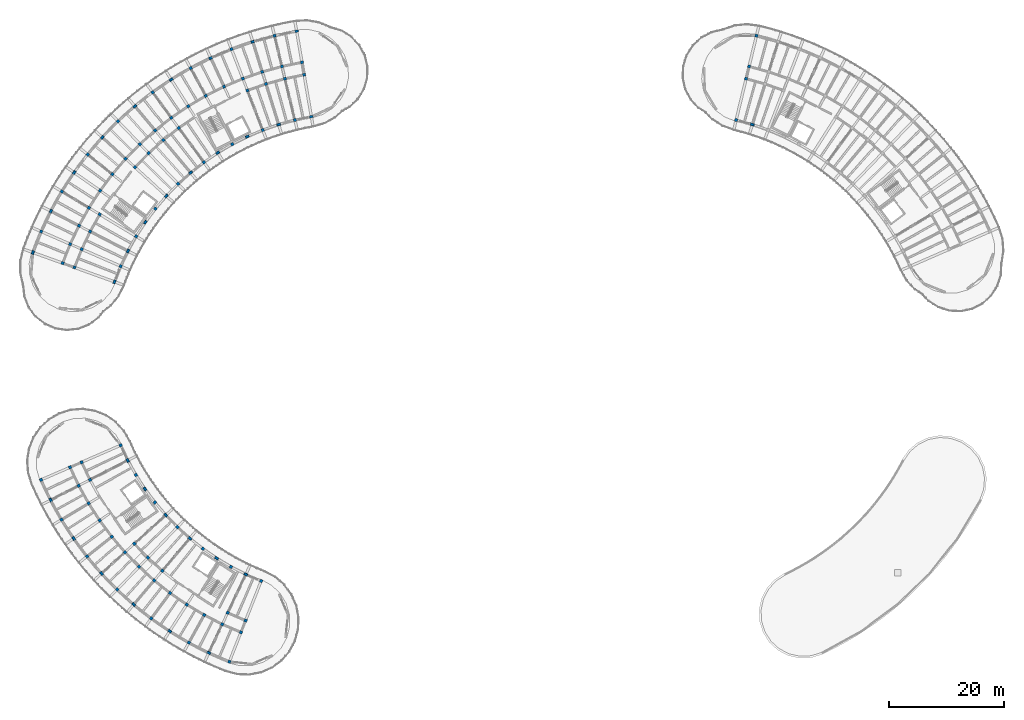
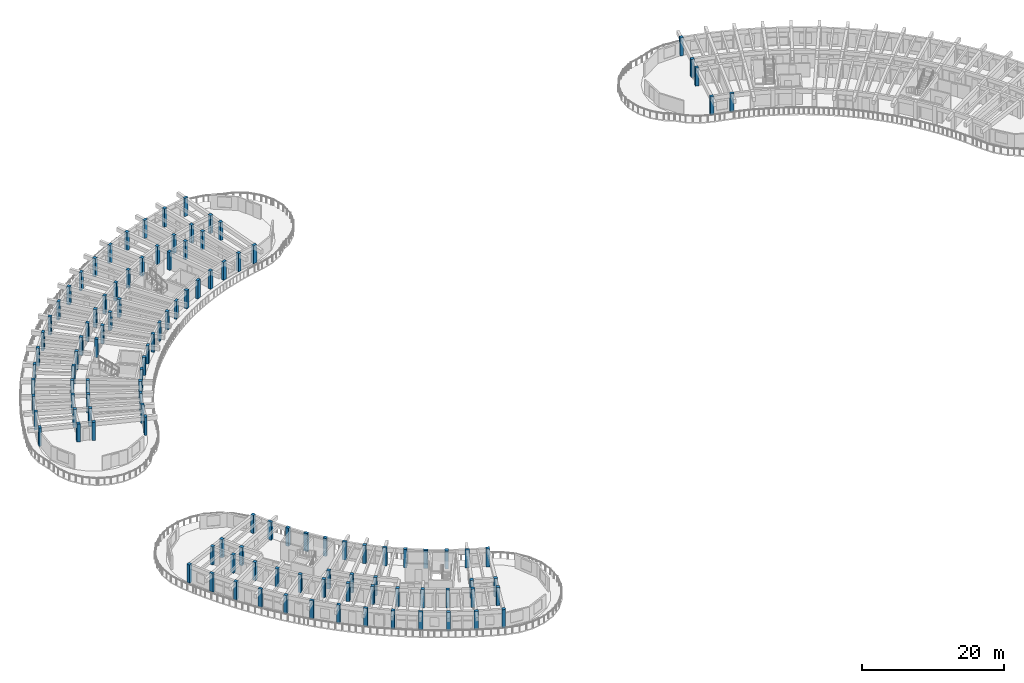
# One storey, part 1 of 62: 114 columns.
"""IFC4 building model written with IfcOpenShell, lengths in metres."""

from ifc_helpers import new_model, si_unit, direction, frame, origin, origin_2d, place, context, subcontext, project, spatial, rectangle, extrude, material, material_profile, profile_set, type_object, element, save


model = new_model("IFC4")

# Units and contexts
model_context = context("Model", 3, precision=1e-05, world=origin(), true_north=direction((0.0, 1.0)))
body_context = subcontext(model_context, "Body", "Model", "MODEL_VIEW")
ifc_project = project(units=[si_unit("LENGTHUNIT", "METRE"), si_unit("AREAUNIT", "SQUARE_METRE"), si_unit("VOLUMEUNIT", "CUBIC_METRE"), si_unit("PLANEANGLEUNIT", "RADIAN"), si_unit("MASSUNIT", "GRAM", prefix="KILO")], contexts=[model_context])

# Site, building, storey
site_placement = place(None, origin())
site = spatial("IfcSite", under=ifc_project, at=site_placement, CompositionType="ELEMENT")
building_placement = place(site_placement, origin())
building = spatial("IfcBuilding", under=site, at=building_placement, Name="Tanwirah Colonnade Gardens", CompositionType="ELEMENT")
storey_placement = place(building_placement, frame((0.0, 0.0, 32.360107421875)))
storey = spatial("IfcBuildingStorey", under=building, at=storey_placement, Name="L09", CompositionType="ELEMENT", Elevation=32.360107421875)

# Columns
ifc_material = material(Name="Precast concrete C40/50", Category="concrete")
ifc_material_profile_1 = material_profile(ifc_material, rectangle(XDim=0.510009765625, YDim=0.510009765625, at=origin_2d()), Name="PC-COL 510x510")
ifc_profile_set_1 = profile_set([ifc_material_profile_1], Name="Precast concrete C40/50")
column_type_1 = type_object("IfcColumnType", Name="C-PC420", PredefinedType="COLUMN", material=ifc_profile_set_1)
for number, where, z_axis, x_axis, name in (
    (1, (24.236572265625, 46.775634765625, 0.0), (0.0, 0.0, 1.0), (-0.917060074385, -0.398749068925, 0.0), "Block C L09 Column 2-R0"),
    (2, (17.450439453125, 43.824951171875, 0.0), (0.0, 0.0, 1.0), (-0.917060074385, -0.398749068925, 0.0), "Block C L09 Column 2-R1"),
    (3, (15.432861328125, 42.947509765625, 0.0), (0.0, 0.0, 1.0), (-0.917060074385, -0.398749068925, 0.0), "Block C L09 Column 2-R2"),
    (4, (10.38916015625, 40.75439453125, 0.0), (0.0, 0.0, 1.0), (-0.917060074385, -0.398749068925, 0.0), "Block C L09 Column 2-R3"),
    (5, (18.904541015625, 40.75927734375, 0.0), (0.0, 0.0, 1.0), (-0.889017141486, -0.457873915117, 0.0), "Block C L09 Column 3-R1"),
    (6, (16.94873046875, 39.751953125, 0.0), (0.0, 0.0, 1.0), (-0.889017141486, -0.457873915117, 0.0), "Block C L09 Column 3-R2"),
    (7, (26.89892578125, 41.6064453125, 0.0), (0.0, 0.0, 1.0), (-0.857167300702, -0.51503807491, 0.0), "Block C L09 Column 4-R0"),
    (8, (18.670166015625, 36.662109375, 0.0), (0.0, 0.0, 1.0), (-0.857167300702, -0.51503807491, 0.0), "Block C L09 Column 4-R2"),
    (9, (13.95556640625, 33.82958984375, 0.0), (0.0, 0.0, 1.0), (-0.857167300702, -0.51503807491, 0.0), "Block C L09 Column 4-R3"),
    (10, (20.590087890625, 33.691650390625, 0.0), (0.0, 0.0, 1.0), (-0.821646937942, -0.569996762596, 0.0), "Block C L09 Column 5-R2"),
    (11, (30.213134765625, 36.829345703125, 0.0), (0.0, 0.0, 1.0), (-0.782608156852, -0.622514636638, 0.0), "Block C L09 Column 6-R0"),
    (12, (22.699951171875, 30.85302734375, 0.0), (0.0, 0.0, 1.0), (-0.782608156852, -0.622514636638, 0.0), "Block C L09 Column 6-R2"),
    (13, (18.395751953125, 27.42919921875, 0.0), (0.0, 0.0, 1.0), (-0.782608156852, -0.622514636638, 0.0), "Block C L09 Column 6-R3"),
    (14, (26.61962890625, 29.6376953125, 0.0), (0.0, 0.0, 1.0), (-0.740218127487, -0.672366807435, 0.0), "Block C L09 Column 7-R1"),
    (15, (24.9912109375, 28.15869140625, 0.0), (0.0, 0.0, 1.0), (-0.740218127487, -0.672366807435, 0.0), "Block C L09 Column 7-R2"),
    (16, (34.122314453125, 32.525390625, 0.0), (0.0, 0.0, 1.0), (-0.694658370459, -0.719339800339, 0.0), "Block C L09 Column 8-R0"),
    (17, (28.98193359375, 27.2021484375, 0.0), (0.0, 0.0, 1.0), (-0.694658370459, -0.719339800339, 0.0), "Block C L09 Column 8-R1"),
    (18, (27.45361328125, 25.61962890625, 0.0), (0.0, 0.0, 1.0), (-0.694658370459, -0.719339800339, 0.0), "Block C L09 Column 8-R2"),
    (19, (23.633056640625, 21.663330078125, 0.0), (0.0, 0.0, 1.0), (-0.694658370459, -0.719339800339, 0.0), "Block C L09 Column 8-R3"),
    (20, (31.49853515625, 24.926513671875, 0.0), (0.0, 0.0, 1.0), (-0.646123979643, -0.763232469783, 0.0), "Block C L09 Column 9-R1"),
    (21, (30.076904296875, 23.247314453125, 0.0), (0.0, 0.0, 1.0), (-0.646123979643, -0.763232469783, 0.0), "Block C L09 Column 9-R2"),
    (22, (38.56005859375, 28.7685546875, 0.0), (0.0, 0.0, 1.0), (-0.594822786751, -0.803856860617, 0.0), "Block C L09 Column 10-R0"),
    (23, (32.849853515625, 21.051513671875, 0.0), (0.0, 0.0, 1.0), (-0.594822786751, -0.803856860617, 0.0), "Block C L09 Column 10-R2"),
    (24, (29.578369140625, 16.63037109375, 0.0), (0.0, 0.0, 1.0), (-0.594822786751, -0.803856860617, 0.0), "Block C L09 Column 10-R3"),
    (25, (35.76025390625, 19.041748046875, 0.0), (0.0, 0.0, 1.0), (-0.540974471368, -0.841039012964, 0.0), "Block C L09 Column 11-R2"),
    (26, (43.4501953125, 25.623046875, 0.0), (0.0, 0.0, 1.0), (-0.484809620246, -0.874619707139, 0.0), "Block C L09 Column 12-R0"),
    (27, (38.796142578125, 17.226806640625, 0.0), (0.0, 0.0, 1.0), (-0.484809620246, -0.874619707139, 0.0), "Block C L09 Column 12-R2"),
    (28, (36.129638671875, 12.41650390625, 0.0), (0.0, 0.0, 1.0), (-0.484809620246, -0.874619707139, 0.0), "Block C L09 Column 12-R3"),
    (29, (42.88232421875, 17.60400390625, 0.0), (0.0, 0.0, 1.0), (-0.426568739901, -0.904455145454, 0.0), "Block C L09 Column 13-R1"),
    (30, (41.94384765625, 15.6142578125, 0.0), (0.0, 0.0, 1.0), (-0.426568739901, -0.904455145454, 0.0), "Block C L09 Column 13-R2"),
    (31, (48.708984375, 23.142822265625, 0.0), (0.0, 0.0, 1.0), (-0.366501226724, -0.930417567982, 0.0), "Block C L09 Column 14-R0"),
    (32, (45.996826171875, 16.2578125, 0.0), (0.0, 0.0, 1.0), (-0.366501226724, -0.930417567982, 0.0), "Block C L09 Column 14-R1"),
    (33, (45.190673828125, 14.2109375, 0.0), (0.0, 0.0, 1.0), (-0.366501226724, -0.930417567982, 0.0), "Block C L09 Column 14-R2"),
    (34, (43.1748046875, 9.09375, 0.0), (0.0, 0.0, 1.0), (-0.366501226724, -0.930417567982, 0.0), "Block C L09 Column 14-R3"),
):
    element("IfcColumn", number, at=place(storey_placement, frame(where, z_axis=z_axis, x_axis=x_axis)), inside=storey, type_object=column_type_1, Name=name, PredefinedType="COLUMN", context=body_context, shape_type="SweptSolid", body=[
        extrude(rectangle(XDim=0.510009765625, YDim=0.510009765625, at=origin_2d()), origin(), (0.0, 0.0, 1.0), 3.114990234375),
    ])
ifc_material_profile_2 = material_profile(ifc_material, rectangle(XDim=0.5, YDim=0.5, at=origin_2d()), Name="PC-COL 500x500")
ifc_profile_set_2 = profile_set([ifc_material_profile_2], Name="Precast concrete C40/50")
column_type_2 = type_object("IfcColumnType", Name="C-PC500", PredefinedType="COLUMN", material=ifc_profile_set_2)
for number, where, z_axis, x_axis, name in (
    (35, (56.1943359375, 111.296875, 0.0), (0.0, 0.0, 1.0), (-0.169827298811, 0.985473839622, 0.0), "Block A L09 Column 1-R1"),
    (36, (55.82080078125, 113.46484375, 0.0), (0.0, 0.0, 1.0), (-0.169827298811, 0.985473839622, 0.0), "Block A L09 Column 1-R2"),
    (37, (54.58154296875, 103.411865234375, 0.0), (0.0, 0.0, 1.0), (-0.23438809799, 0.972143106503, 0.0), "Block A L09 Column 2-R0"),
    (38, (52.846923828125, 110.605712890625, 0.0), (0.0, 0.0, 1.0), (-0.23438809799, 0.972143106503, 0.0), "Block A L09 Column 2-R1"),
    (39, (52.331298828125, 112.744384765625, 0.0), (0.0, 0.0, 1.0), (-0.23438809799, 0.972143106503, 0.0), "Block A L09 Column 2-R2"),
    (40, (51.042236328125, 118.091064453125, 0.0), (0.0, 0.0, 1.0), (-0.23438809799, 0.972143106503, 0.0), "Block A L09 Column 2-R3"),
    (41, (49.55224609375, 109.6953125, 0.0), (0.0, 0.0, 1.0), (-0.297930292146, 0.954587628781, 0.0), "Block A L09 Column 3-R1"),
    (42, (48.89697265625, 111.79541015625, 0.0), (0.0, 0.0, 1.0), (-0.297930292146, 0.954587628781, 0.0), "Block A L09 Column 3-R2"),
    (43, (48.989990234375, 101.666748046875, 0.0), (0.0, 0.0, 1.0), (-0.360177739278, 0.932883699144, 0.0), "Block A L09 Column 4-R0"),
    (44, (46.32470703125, 108.570068359375, 0.0), (0.0, 0.0, 1.0), (-0.360177739278, 0.932883699144, 0.0), "Block A L09 Column 4-R1"),
    (45, (45.532470703125, 110.622314453125, 0.0), (0.0, 0.0, 1.0), (-0.360177739278, 0.932883699144, 0.0), "Block A L09 Column 4-R2"),
    (46, (43.551513671875, 115.753173828125, 0.0), (0.0, 0.0, 1.0), (-0.360177739278, 0.932883699144, 0.0), "Block A L09 Column 4-R3"),
    (47, (42.25244140625, 109.230224609375, 0.0), (0.0, 0.0, 1.0), (-0.420859924104, 0.907125638643, 0.0), "Block A L09 Column 5-R2"),
    (48, (43.6767578125, 99.20166015625, 0.0), (0.0, 0.0, 1.0), (-0.479713133669, 0.877425386791, 0.0), "Block A L09 Column 6-R0"),
    (49, (39.071533203125, 107.624755859375, 0.0), (0.0, 0.0, 1.0), (-0.479713133669, 0.877425386791, 0.0), "Block A L09 Column 6-R2"),
    (50, (36.43310546875, 112.45068359375, 0.0), (0.0, 0.0, 1.0), (-0.479713133669, 0.877425386791, 0.0), "Block A L09 Column 6-R3"),
    (51, (36.003173828125, 105.8134765625, 0.0), (0.0, 0.0, 1.0), (-0.536481603385, 0.843912015099, 0.0), "Block A L09 Column 7-R2"),
    (52, (38.733642578125, 96.05908203125, 0.0), (0.0, 0.0, 1.0), (-0.590918628541, 0.806731166153, 0.0), "Block A L09 Column 8-R0"),
    (53, (34.36083984375, 102.029052734375, 0.0), (0.0, 0.0, 1.0), (-0.590918628541, 0.806731166153, 0.0), "Block A L09 Column 8-R1"),
    (54, (33.060791015625, 103.8037109375, 0.0), (0.0, 0.0, 1.0), (-0.590918628541, 0.806731166153, 0.0), "Block A L09 Column 8-R2"),
    (55, (29.810791015625, 108.24072265625, 0.0), (0.0, 0.0, 1.0), (-0.590918628541, 0.806731166153, 0.0), "Block A L09 Column 8-R3"),
    (56, (31.67138671875, 99.91943359375, 0.0), (0.0, 0.0, 1.0), (-0.642787636427, 0.766044420681, 0.0), "Block A L09 Column 9-R1"),
    (57, (30.25732421875, 101.604736328125, 0.0), (0.0, 0.0, 1.0), (-0.642787636427, 0.766044420681, 0.0), "Block A L09 Column 9-R2"),
    (58, (34.24658203125, 92.294189453125, 0.0), (0.0, 0.0, 1.0), (-0.691863214436, 0.722028595355, 0.0), "Block A L09 Column 10-R0"),
    (59, (29.126953125, 97.63720703125, 0.0), (0.0, 0.0, 1.0), (-0.691863214436, 0.722028595355, 0.0), "Block A L09 Column 10-R1"),
    (60, (27.604736328125, 99.2255859375, 0.0), (0.0, 0.0, 1.0), (-0.691863214436, 0.722028595355, 0.0), "Block A L09 Column 10-R2"),
    (61, (23.799560546875, 103.19677734375, 0.0), (0.0, 0.0, 1.0), (-0.691863214436, 0.722028595355, 0.0), "Block A L09 Column 10-R3"),
    (62, (26.73828125, 95.1923828125, 0.0), (0.0, 0.0, 1.0), (-0.737932089665, 0.674874974378, 0.0), "Block A L09 Column 11-R1"),
    (63, (25.11474609375, 96.677001953125, 0.0), (0.0, 0.0, 1.0), (-0.737932089665, 0.674874974378, 0.0), "Block A L09 Column 11-R2"),
    (64, (30.293701171875, 87.971923828125, 0.0), (0.0, 0.0, 1.0), (-0.780794055756, 0.624788478204, 0.0), "Block A L09 Column 12-R0"),
    (65, (22.798095703125, 93.9697265625, 0.0), (0.0, 0.0, 1.0), (-0.780794055756, 0.624788478204, 0.0), "Block A L09 Column 12-R2"),
    (66, (18.503662109375, 97.40625, 0.0), (0.0, 0.0, 1.0), (-0.780794055756, 0.624788478204, 0.0), "Block A L09 Column 12-R3"),
    (67, (20.664794921875, 91.115966796875, 0.0), (0.0, 0.0, 1.0), (-0.82026284295, 0.57198677299, 0.0), "Block A L09 Column 13-R2"),
    (68, (26.943359375, 83.167236328125, 0.0), (0.0, 0.0, 1.0), (-0.856166927587, 0.516699324663, 0.0), "Block A L09 Column 14-R0"),
    (69, (20.607666015625, 86.990966796875, 0.0), (0.0, 0.0, 1.0), (-0.856166927587, 0.516699324663, 0.0), "Block A L09 Column 14-R1"),
    (70, (18.72412109375, 88.127685546875, 0.0), (0.0, 0.0, 1.0), (-0.856166927587, 0.516699324663, 0.0), "Block A L09 Column 14-R2"),
    (71, (14.015380859375, 90.969482421875, 0.0), (0.0, 0.0, 1.0), (-0.856166927587, 0.516699324663, 0.0), "Block A L09 Column 14-R3"),
    (72, (18.93896484375, 84.0078125, 0.0), (0.0, 0.0, 1.0), (-0.888350277506, 0.459166401705, 0.0), "Block A L09 Column 15-R1"),
    (73, (16.984619140625, 85.017822265625, 0.0), (0.0, 0.0, 1.0), (-0.888350277506, 0.459166401705, 0.0), "Block A L09 Column 15-R2"),
    (74, (24.25390625, 77.9638671875, 0.0), (0.0, 0.0, 1.0), (-0.916673030138, 0.399638030994, 0.0), "Block A L09 Column 16-R0"),
    (75, (17.470458984375, 80.921142578125, 0.0), (0.0, 0.0, 1.0), (-0.916673030138, 0.399638030994, 0.0), "Block A L09 Column 16-R1"),
    (76, (15.453857421875, 81.800537109375, 0.0), (0.0, 0.0, 1.0), (-0.916673030138, 0.399638030994, 0.0), "Block A L09 Column 16-R2"),
    (77, (10.412109375, 83.99853515625, 0.0), (0.0, 0.0, 1.0), (-0.916673030138, 0.399638030994, 0.0), "Block A L09 Column 16-R3"),
    (78, (16.20849609375, 77.74462890625, 0.0), (0.0, 0.0, 1.0), (-0.941012100316, 0.338372911236, 0.0), "Block A L09 Column 17-R1"),
    (79, (14.13818359375, 78.489013671875, 0.0), (0.0, 0.0, 1.0), (-0.941012100316, 0.338372911236, 0.0), "Block A L09 Column 17-R2"),
    (80, (131.41845703125, 103.411865234375, 0.0), (0.0, 0.0, 1.0), (0.234388030122, 0.972143122866, 0.0), "Block B L09 Column 16-R0"),
    (81, (133.153076171875, 110.605712890625, 0.0), (0.0, 0.0, 1.0), (0.234388030122, 0.972143122866, 0.0), "Block B L09 Column 16-R1"),
    (82, (133.668701171875, 112.744384765625, 0.0), (0.0, 0.0, 1.0), (0.234388030122, 0.972143122866, 0.0), "Block B L09 Column 16-R2"),
    (83, (134.957763671875, 118.091064453125, 0.0), (0.0, 0.0, 1.0), (0.234388030122, 0.972143122866, 0.0), "Block B L09 Column 16-R3"),
):
    element("IfcColumn", number, at=place(storey_placement, frame(where, z_axis=z_axis, x_axis=x_axis)), inside=storey, type_object=column_type_2, Name=name, PredefinedType="COLUMN", context=body_context, shape_type="SweptSolid", body=[
        extrude(rectangle(XDim=0.5, YDim=0.5, at=origin_2d()), origin(), (0.0, 0.0, 1.0), 3.114990234375),
    ])
ifc_material_profile_3 = material_profile(ifc_material, rectangle(XDim=0.389892578125, YDim=0.6298828125, at=origin_2d()), Name="PC-PIL 390x630")
ifc_profile_set_3 = profile_set([ifc_material_profile_3], Name="Precast concrete C40/50")
column_type_3 = type_object("IfcColumnType", Name="PIL-360", PredefinedType="PILASTER", material=ifc_profile_set_3)
for number, where, z_axis, x_axis, name in (
    (84, (57.451171875, 104.00439453125, 0.0), (0.0, 0.0, 1.0), (-0.169827298811, 0.985473839622, 0.0), "Block A L09 Column 1-R0"),
    (85, (54.88671875, 118.885009765625, 0.0), (0.0, 0.0, 1.0), (-0.169827298811, 0.985473839622, 0.0), "Block A L09 Column 1-R3"),
    (86, (51.757080078125, 102.63134765625, 0.0), (0.0, 0.0, 1.0), (-0.297930292146, 0.954587628781, 0.0), "Block A L09 Column 3-R0"),
    (87, (47.25830078125, 117.045654296875, 0.0), (0.0, 0.0, 1.0), (-0.297930292146, 0.954587628781, 0.0), "Block A L09 Column 3-R3"),
    (88, (46.292724609375, 100.521728515625, 0.0), (0.0, 0.0, 1.0), (-0.420859924104, 0.907125638643, 0.0), "Block A L09 Column 5-R0"),
    (89, (39.937744140625, 114.21923828125, 0.0), (0.0, 0.0, 1.0), (-0.420859924104, 0.907125638643, 0.0), "Block A L09 Column 5-R3"),
    (90, (41.1533203125, 97.7119140625, 0.0), (0.0, 0.0, 1.0), (-0.536481603385, 0.843912015099, 0.0), "Block A L09 Column 7-R0"),
    (91, (33.052490234375, 110.455078125, 0.0), (0.0, 0.0, 1.0), (-0.536481603385, 0.843912015099, 0.0), "Block A L09 Column 7-R3"),
    (92, (36.427978515625, 94.250732421875, 0.0), (0.0, 0.0, 1.0), (-0.642787636427, 0.766044420681, 0.0), "Block A L09 Column 9-R0"),
    (93, (26.721923828125, 105.81787109375, 0.0), (0.0, 0.0, 1.0), (-0.642787636427, 0.766044420681, 0.0), "Block A L09 Column 9-R3"),
    (94, (32.198974609375, 90.1982421875, 0.0), (0.0, 0.0, 1.0), (-0.737932089665, 0.674874974378, 0.0), "Block A L09 Column 11-R0"),
    (95, (21.05615234375, 100.388916015625, 0.0), (0.0, 0.0, 1.0), (-0.737932089665, 0.674874974378, 0.0), "Block A L09 Column 11-R3"),
    (96, (28.539306640625, 85.624755859375, 0.0), (0.0, 0.0, 1.0), (-0.82026284295, 0.57198677299, 0.0), "Block A L09 Column 13-R0"),
    (97, (16.1533203125, 94.26171875, 0.0), (0.0, 0.0, 1.0), (-0.82026284295, 0.57198677299, 0.0), "Block A L09 Column 13-R3"),
    (98, (25.512939453125, 80.60986328125, 0.0), (0.0, 0.0, 1.0), (-0.888350277506, 0.459166401705, 0.0), "Block A L09 Column 15-R0"),
    (99, (12.0986328125, 87.54345703125, 0.0), (0.0, 0.0, 1.0), (-0.888350277506, 0.459166401705, 0.0), "Block A L09 Column 15-R3"),
    (100, (23.172119140625, 75.24072265625, 0.0), (0.0, 0.0, 1.0), (-0.941012100316, 0.338372911236, 0.0), "Block A L09 Column 17-R0"),
    (101, (8.962646484375, 80.35009765625, 0.0), (0.0, 0.0, 1.0), (-0.941012100316, 0.338372911236, 0.0), "Block A L09 Column 17-R3"),
    (102, (134.242919921875, 102.63134765625, 0.0), (0.0, 0.0, 1.0), (0.297930225503, 0.954587649581, 0.0), "Block B L09 Column 15-R0"),
    (103, (25.483154296875, 44.1474609375, 0.0), (0.0, 0.0, 1.0), (-0.889017141486, -0.457873915117, 0.0), "Block C L09 Column 3-R0"),
    (104, (12.05908203125, 37.233642578125, 0.0), (0.0, 0.0, 1.0), (-0.889017141486, -0.457873915117, 0.0), "Block C L09 Column 3-R3"),
    (105, (28.477783203125, 39.16357421875, 0.0), (0.0, 0.0, 1.0), (-0.821646937942, -0.569996762596, 0.0), "Block C L09 Column 5-R0"),
    (106, (16.071044921875, 30.556640625, 0.0), (0.0, 0.0, 1.0), (-0.821646937942, -0.569996762596, 0.0), "Block C L09 Column 5-R3"),
    (107, (32.097412109375, 34.61328125, 0.0), (0.0, 0.0, 1.0), (-0.740218127487, -0.672366807435, 0.0), "Block C L09 Column 7-R0"),
    (108, (20.919921875, 24.46044921875, 0.0), (0.0, 0.0, 1.0), (-0.740218127487, -0.672366807435, 0.0), "Block C L09 Column 7-R3"),
    (109, (36.27978515625, 30.57421875, 0.0), (0.0, 0.0, 1.0), (-0.646123979643, -0.763232469783, 0.0), "Block C L09 Column 9-R0"),
    (110, (26.5234375, 19.049560546875, 0.0), (0.0, 0.0, 1.0), (-0.646123979643, -0.763232469783, 0.0), "Block C L09 Column 9-R3"),
    (111, (40.95361328125, 27.11572265625, 0.0), (0.0, 0.0, 1.0), (-0.540974471368, -0.841039012964, 0.0), "Block C L09 Column 11-R0"),
    (112, (32.784912109375, 14.416015625, 0.0), (0.0, 0.0, 1.0), (-0.540974471368, -0.841039012964, 0.0), "Block C L09 Column 11-R3"),
    (113, (46.0390625, 24.296875, 0.0), (0.0, 0.0, 1.0), (-0.426568739901, -0.904455145454, 0.0), "Block C L09 Column 13-R0"),
    (114, (39.597900390625, 10.6396484375, 0.0), (0.0, 0.0, 1.0), (-0.426568739901, -0.904455145454, 0.0), "Block C L09 Column 13-R3"),
):
    element("IfcColumn", number, at=place(storey_placement, frame(where, z_axis=z_axis, x_axis=x_axis)), inside=storey, type_object=column_type_3, Name=name, PredefinedType="PILASTER", context=body_context, shape_type="SweptSolid", body=[
        extrude(rectangle(XDim=0.389892578125, YDim=0.6298828125, at=origin_2d()), origin(), (0.0, 0.0, 1.0), 3.114990234375),
    ])

save(model, "model.ifc")
